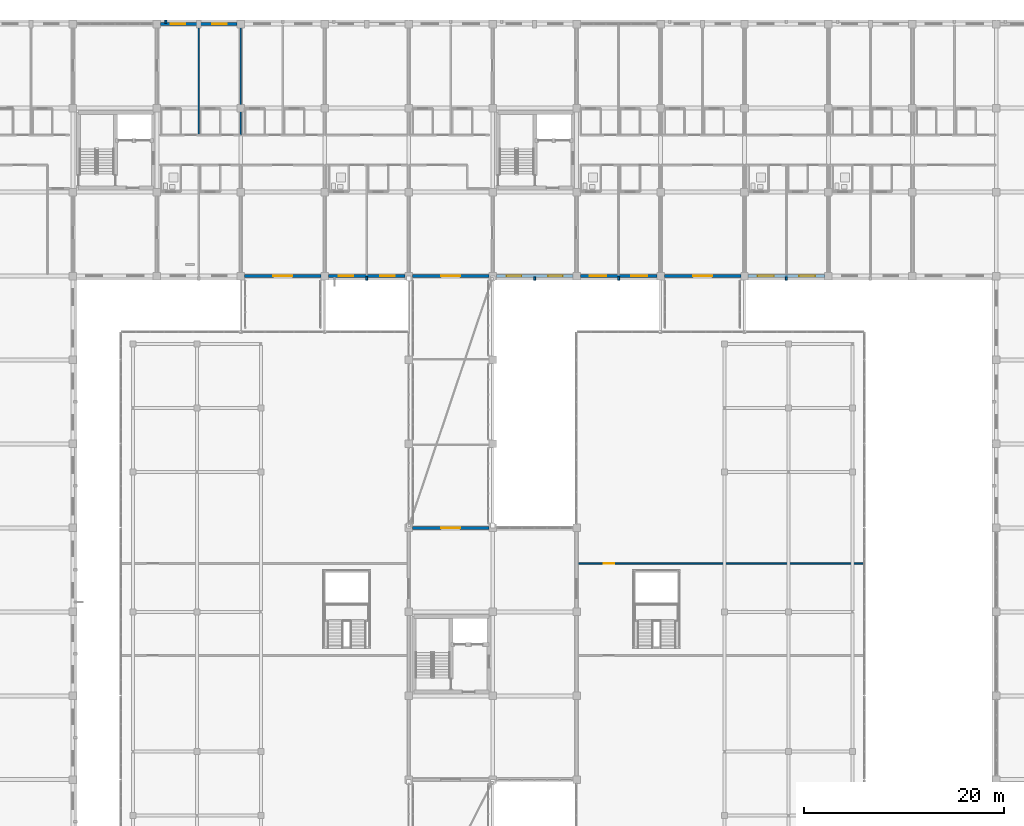
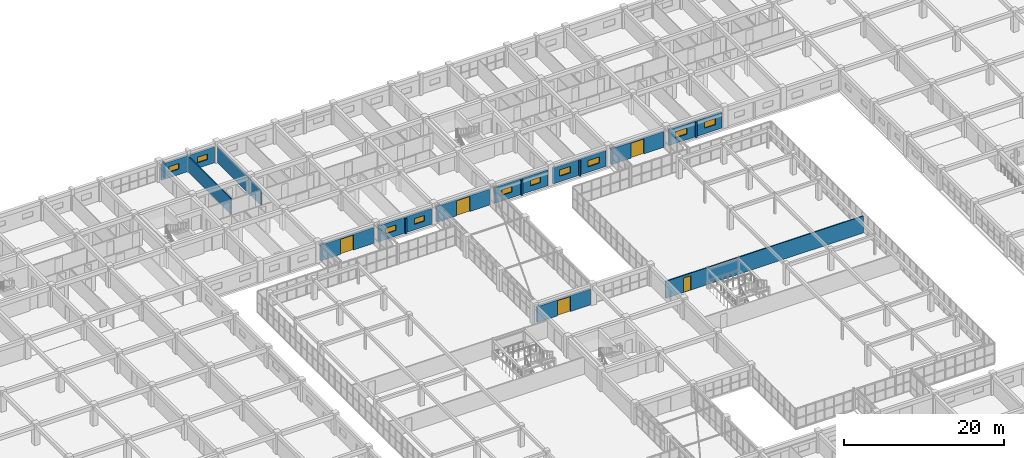
# One storey, part 176 of 200: 17 walls, 10 windows, 5 doors, 15 openings.
"""IFC4 building model written with IfcOpenShell, lengths in metres."""

from ifc_helpers import new_model, si_unit, direction, frame, frame_2d, origin, place, context, subcontext, project, spatial, rectangle, extrude, material, layer, layer_set, type_object, element, fill, save


model = new_model("IFC4")

# Units and contexts
model_context = context("Model", 3, precision=1e-05, world=origin(), true_north=direction((0.0, 1.0)))
body_context = subcontext(model_context, "Body", "Model", "MODEL_VIEW")
ifc_project = project(units=[si_unit("LENGTHUNIT", "METRE"), si_unit("AREAUNIT", "SQUARE_METRE"), si_unit("VOLUMEUNIT", "CUBIC_METRE"), si_unit("PLANEANGLEUNIT", "RADIAN"), si_unit("MASSUNIT", "GRAM", prefix="KILO")], contexts=[model_context])

# Site, building, storey
site_placement = place(None, origin())
site = spatial("IfcSite", under=ifc_project, at=site_placement, CompositionType="ELEMENT")
building_placement = place(site_placement, origin())
building = spatial("IfcBuilding", under=site, at=building_placement, Name="Trelvath General Hospital", CompositionType="ELEMENT")
storey_placement = place(building_placement, frame((0.0, 0.0, 4.800048828125)))
storey = spatial("IfcBuildingStorey", under=building, at=storey_placement, Name="L01", CompositionType="ELEMENT", Elevation=4.800048828125)

# Walls
ifc_material_1 = material(Name="Precast concrete C40/50", Category="concrete")
ifc_layer_1 = layer(ifc_material_1, 0.199951171875)
ifc_layer_set_1 = layer_set([ifc_layer_1], Name="Precast concrete C40/50")
wall_type_1 = type_object("IfcWallType", Name="BriseSoleilRib 200", PredefinedType="ELEMENTEDWALL", material=ifc_layer_set_1)
for number, where, z_axis, x_axis, name in (
    (1, (51.30615234375, 117.675048828125, 0.0), (0.0, 0.0, 1.0), (0.0, 1.0, 0.0), "Precast Concrete Brise-Soleil Rib Fin L01-102"),
    (2, (71.39990234375, 92.324951171875, 0.0), (0.0, 0.0, 1.0), (0.0, -1.0, 0.0), "Precast Concrete Brise-Soleil Rib Fin L01-107"),
    (3, (88.199951171875, 92.324951171875, 0.0), (0.0, 0.0, 1.0), (0.0, -1.0, 0.0), "Precast Concrete Brise-Soleil Rib Fin L01-113"),
    (4, (96.60009765625, 92.324951171875, 0.0), (0.0, 0.0, 1.0), (0.0, -1.0, 0.0), "Precast Concrete Brise-Soleil Rib Fin L01-116"),
    (5, (113.39990234375, 92.324951171875, 0.0), (0.0, 0.0, 1.0), (0.0, -1.0, 0.0), "Precast Concrete Brise-Soleil Rib Fin L01-121"),
):
    element("IfcWall", number, at=place(storey_placement, frame(where, z_axis=z_axis, x_axis=x_axis)), inside=storey, type_object=wall_type_1, Name=name, PredefinedType="ELEMENTEDWALL", context=body_context, shape_type="SweptSolid", body=[
        extrude(rectangle(XDim=0.33984375, YDim=0.199951171875, at=frame_2d((0.169921875, 0.0))), origin(), (0.0, 0.0, 1.0), 2.39990234375),
    ])

# Wall, opening, door
ifc_material_2 = material(Name="Gypsum acoustic steel-stud partition", Category="steel")
ifc_layer_2 = layer(ifc_material_2, 0.14990234375)
ifc_layer_set_2 = layer_set([ifc_layer_2], Name="Gypsum acoustic steel-stud partition")
wall_type_2 = type_object("IfcWallType", Name="ClinicalPartition 150", PredefinedType="PARTITIONING", material=ifc_layer_set_2)
wall_1_placement = place(storey_placement, frame((92.5, 63.64990234375, 0.0), z_axis=(0.0, 0.0, 1.0), x_axis=(1.0, 0.0, 0.0)))
wall_1 = element("IfcWall", 6, at=wall_1_placement, inside=storey, type_object=wall_type_2, Name="Cube Clinic CUBE-E Partition L01-675", PredefinedType="PARTITIONING", context=body_context, shape_type="SweptSolid", body=[
    extrude(rectangle(XDim=28.60009765625, YDim=0.14990234375, at=frame_2d((14.300048828125, 0.0))), origin(), (0.0, 0.0, 1.0), 2.58984375),
])
opening_1_placement = place(wall_1_placement, frame((2.60009765625, 0.0, 0.0)))
opening_1 = element("IfcOpeningElement", 7, at=opening_1_placement, cuts=wall_1, Name="Opening DC-1-0625", PredefinedType="OPENING", context=body_context, shape_type="SweptSolid", body=[
    extrude(rectangle(XDim=1.050048828125, YDim=2.199951171875, at=frame_2d((0.52490234375, 1.10009765625))), frame((0.0, 0.0849609375, 0.0), z_axis=(0.0, -1.0, 0.0), x_axis=(1.0, 0.0, 0.0)), (0.0, 0.0, 1.0), 0.169921875),
])
ifc_material_3 = material(Name="Acoustic hospital timber leaf", Category="wood")
door_type_1 = type_object("IfcDoorType", Name="Door Consult 1050x2200", OperationType="NOTDEFINED", PredefinedType="DOOR", material=ifc_material_3)
door_1_placement = place(opening_1_placement, origin())
door_1 = element("IfcDoor", 8, at=door_1_placement, inside=storey, type_object=door_type_1, Name="Cube Clinic CUBE-E Door L01-625", OperationType="SINGLE_SWING_LEFT", OverallHeight=2.199951171875, OverallWidth=1.050048828125, PredefinedType="DOOR", context=body_context, shape_type="SweptSolid", body=[
    extrude(rectangle(XDim=1.050048828125, YDim=2.199951171875, at=frame_2d((0.52490234375, 1.10009765625))), frame((0.0, 0.02490234375, 0.0), z_axis=(0.0, -1.0, 0.0), x_axis=(1.0, 0.0, 0.0)), (0.0, 0.0, 1.0), 0.050048828125),
])
fill(opening_1, door_1)

# Wall, openings, windows
ifc_material_4 = material(Name="Concrete C35/45", Category="concrete")
ifc_layer_3 = layer(ifc_material_4, 0.2900390625)
ifc_layer_set_3 = layer_set([ifc_layer_3], Name="Concrete C35/45")
wall_type_3 = type_object("IfcWallType", Name="ExtBushHammeredWall 290", PredefinedType="SOLIDWALL", material=ifc_layer_set_3)
wall_2_placement = place(storey_placement, frame((50.77001953125, 117.60009765625, 0.0), z_axis=(0.0, 0.0, 1.0), x_axis=(1.0, 0.0, 0.0)))
wall_2 = element("IfcWall", 9, at=wall_2_placement, inside=storey, type_object=wall_type_3, Name="Exterior Concrete Wall L01-145", PredefinedType="SOLIDWALL", context=body_context, shape_type="SweptSolid", body=[
    extrude(rectangle(XDim=7.659912109375, YDim=0.2900390625, at=frame_2d((3.830078125, 0.0))), origin(), (0.0, 0.0, 1.0), 2.419921875),
])
opening_2_placement = place(wall_2_placement, frame((1.03173828125, 0.0, 0.85009765625)))
opening_2 = element("IfcOpeningElement", 10, at=opening_2_placement, cuts=wall_2, Name="Opening WN-1-219", PredefinedType="OPENING", context=body_context, shape_type="SweptSolid", body=[
    extrude(rectangle(XDim=1.4599609375, YDim=0.85009765625, at=frame_2d((0.72998046875, 0.425048828125))), frame((0.0, 0.155029296875, 0.0), z_axis=(0.0, -1.0, 0.0), x_axis=(1.0, 0.0, 0.0)), (0.0, 0.0, 1.0), 0.31005859375),
])
opening_3_placement = place(wall_2_placement, frame((5.168212890625, 0.0, 0.85009765625)))
opening_3 = element("IfcOpeningElement", 11, at=opening_3_placement, cuts=wall_2, Name="Opening WN-1-220", PredefinedType="OPENING", context=body_context, shape_type="SweptSolid", body=[
    extrude(rectangle(XDim=1.4599609375, YDim=0.85009765625, at=frame_2d((0.72998046875, 0.425048828125))), frame((0.0, 0.155029296875, 0.0), z_axis=(0.0, -1.0, 0.0), x_axis=(1.0, 0.0, 0.0)), (0.0, 0.0, 1.0), 0.31005859375),
])
ifc_material_5 = material(Name="Low-E laminated glass", Category="glass")
window_type_1 = type_object("IfcWindowType", Name="Window ImagingClere 1460x850", PartitioningType="DOUBLE_PANEL_VERTICAL", PredefinedType="WINDOW", material=ifc_material_5)
window_1_placement = place(opening_2_placement, origin())
window_1 = element("IfcWindow", 12, at=window_1_placement, inside=storey, type_object=window_type_1, Name="Solar Reveal Window L01-219", OverallHeight=0.85009765625, OverallWidth=1.4599609375, PartitioningType="SINGLE_PANEL", PredefinedType="WINDOW", context=body_context, shape_type="SweptSolid", body=[
    extrude(rectangle(XDim=1.4599609375, YDim=0.85009765625, at=frame_2d((0.72998046875, 0.425048828125))), frame((0.0, 0.030029296875, 0.0), z_axis=(0.0, -1.0, 0.0), x_axis=(1.0, 0.0, 0.0)), (0.0, 0.0, 1.0), 0.06005859375),
])
fill(opening_2, window_1)
window_2_placement = place(opening_3_placement, origin())
window_2 = element("IfcWindow", 13, at=window_2_placement, inside=storey, type_object=window_type_1, Name="Solar Reveal Window L01-220", OverallHeight=0.85009765625, OverallWidth=1.4599609375, PartitioningType="SINGLE_PANEL", PredefinedType="WINDOW", context=body_context, shape_type="SweptSolid", body=[
    extrude(rectangle(XDim=1.4599609375, YDim=0.85009765625, at=frame_2d((0.72998046875, 0.425048828125))), frame((0.0, 0.030029296875, 0.0), z_axis=(0.0, -1.0, 0.0), x_axis=(1.0, 0.0, 0.0)), (0.0, 0.0, 1.0), 0.06005859375),
])
fill(opening_3, window_2)

# Wall, opening, door
wall_3_placement = place(storey_placement, frame((66.830078125, 92.39990234375, 0.0), z_axis=(0.0, 0.0, 1.0), x_axis=(-1.0, 0.0, 0.0)))
wall_3 = element("IfcWall", 14, at=wall_3_placement, inside=storey, type_object=wall_type_3, Name="Bridge Portal Wall BRG-N-W L01", PredefinedType="SOLIDWALL", context=body_context, shape_type="SweptSolid", body=[
    extrude(rectangle(XDim=7.66015625, YDim=0.2900390625, at=frame_2d((3.830078125, 0.0))), origin(), (0.0, 0.0, 1.0), 2.419921875),
])
opening_4_placement = place(wall_3_placement, frame((2.8798828125, 0.0, 0.0)))
opening_4 = element("IfcOpeningElement", 15, at=opening_4_placement, cuts=wall_3, Name="Opening BP-1-033", PredefinedType="OPENING", context=body_context, shape_type="SweptSolid", body=[
    extrude(rectangle(XDim=1.89990234375, YDim=2.300048828125, at=frame_2d((0.949951171875, 1.14990234375))), frame((0.0, 0.155029296875, 0.0), z_axis=(0.0, -1.0, 0.0), x_axis=(1.0, 0.0, 0.0)), (0.0, 0.0, 1.0), 0.31005859375),
])
ifc_material_6 = material(Name="Thermally broken glazed aluminium pair", Category="aluminium")
door_type_2 = type_object("IfcDoorType", Name="Door BridgeEntry 1900x2400", OperationType="DOUBLE_SWING_LEFT", PredefinedType="DOOR", material=ifc_material_6)
door_2_placement = place(opening_4_placement, origin())
door_2 = element("IfcDoor", 16, at=door_2_placement, inside=storey, type_object=door_type_2, Name="Glazed Bridge Portal Door BRG-N-W L01", OperationType="DOUBLE_SWING_LEFT", OverallHeight=2.300048828125, OverallWidth=1.89990234375, PredefinedType="DOOR", context=body_context, shape_type="SweptSolid", body=[
    extrude(rectangle(XDim=1.89990234375, YDim=2.300048828125, at=frame_2d((0.949951171875, 1.14990234375))), frame((0.0, 0.02490234375, 0.0), z_axis=(0.0, -1.0, 0.0), x_axis=(1.0, 0.0, 0.0)), (0.0, 0.0, 1.0), 0.050048828125),
])
fill(opening_4, door_2)

# Wall, openings, windows
wall_4_placement = place(storey_placement, frame((75.22998046875, 92.39990234375, 0.0), z_axis=(0.0, 0.0, 1.0), x_axis=(-1.0, 0.0, 0.0)))
wall_4 = element("IfcWall", 17, at=wall_4_placement, inside=storey, type_object=wall_type_3, Name="Exterior Concrete Wall L01-152", PredefinedType="SOLIDWALL", context=body_context, shape_type="SweptSolid", body=[
    extrude(rectangle(XDim=7.659912109375, YDim=0.2900390625, at=frame_2d((3.830078125, 0.0))), origin(), (0.0, 0.0, 1.0), 2.419921875),
])
opening_5_placement = place(wall_4_placement, frame((1.03173828125, 0.0, 0.85009765625)))
opening_5 = element("IfcOpeningElement", 18, at=opening_5_placement, cuts=wall_4, Name="Opening WN-1-229", PredefinedType="OPENING", context=body_context, shape_type="SweptSolid", body=[
    extrude(rectangle(XDim=1.4599609375, YDim=0.85009765625, at=frame_2d((0.72998046875, 0.425048828125))), frame((0.0, 0.155029296875, 0.0), z_axis=(0.0, -1.0, 0.0), x_axis=(1.0, 0.0, 0.0)), (0.0, 0.0, 1.0), 0.31005859375),
])
opening_6_placement = place(wall_4_placement, frame((5.168212890625, 0.0, 0.85009765625)))
opening_6 = element("IfcOpeningElement", 19, at=opening_6_placement, cuts=wall_4, Name="Opening WN-1-230", PredefinedType="OPENING", context=body_context, shape_type="SweptSolid", body=[
    extrude(rectangle(XDim=1.4599609375, YDim=0.85009765625, at=frame_2d((0.72998046875, 0.425048828125))), frame((0.0, 0.155029296875, 0.0), z_axis=(0.0, -1.0, 0.0), x_axis=(1.0, 0.0, 0.0)), (0.0, 0.0, 1.0), 0.31005859375),
])
window_3_placement = place(opening_5_placement, origin())
window_3 = element("IfcWindow", 20, at=window_3_placement, inside=storey, type_object=window_type_1, Name="Solar Reveal Window L01-229", OverallHeight=0.85009765625, OverallWidth=1.4599609375, PartitioningType="SINGLE_PANEL", PredefinedType="WINDOW", context=body_context, shape_type="SweptSolid", body=[
    extrude(rectangle(XDim=1.4599609375, YDim=0.85009765625, at=frame_2d((0.72998046875, 0.425048828125))), frame((0.0, 0.030029296875, 0.0), z_axis=(0.0, -1.0, 0.0), x_axis=(1.0, 0.0, 0.0)), (0.0, 0.0, 1.0), 0.06005859375),
])
fill(opening_5, window_3)
window_4_placement = place(opening_6_placement, origin())
window_4 = element("IfcWindow", 21, at=window_4_placement, inside=storey, type_object=window_type_1, Name="Solar Reveal Window L01-230", OverallHeight=0.85009765625, OverallWidth=1.4599609375, PartitioningType="SINGLE_PANEL", PredefinedType="WINDOW", context=body_context, shape_type="SweptSolid", body=[
    extrude(rectangle(XDim=1.4599609375, YDim=0.85009765625, at=frame_2d((0.72998046875, 0.425048828125))), frame((0.0, 0.030029296875, 0.0), z_axis=(0.0, -1.0, 0.0), x_axis=(1.0, 0.0, 0.0)), (0.0, 0.0, 1.0), 0.06005859375),
])
fill(opening_6, window_4)

# Wall, opening, door
wall_5_placement = place(storey_placement, frame((75.969970703125, 67.199951171875, 0.0), z_axis=(0.0, 0.0, 1.0), x_axis=(1.0, 0.0, 0.0)))
wall_5 = element("IfcWall", 22, at=wall_5_placement, inside=storey, type_object=wall_type_3, Name="Bridge Portal Wall BRG-N-C L01", PredefinedType="SOLIDWALL", context=body_context, shape_type="SweptSolid", body=[
    extrude(rectangle(XDim=7.659912109375, YDim=0.2900390625, at=frame_2d((3.830078125, 0.0))), origin(), (0.0, 0.0, 1.0), 2.419921875),
])
opening_7_placement = place(wall_5_placement, frame((2.8798828125, 0.0, 0.0)))
opening_7 = element("IfcOpeningElement", 23, at=opening_7_placement, cuts=wall_5, Name="Opening BP-1-036", PredefinedType="OPENING", context=body_context, shape_type="SweptSolid", body=[
    extrude(rectangle(XDim=1.89990234375, YDim=2.300048828125, at=frame_2d((0.949951171875, 1.14990234375))), frame((0.0, 0.155029296875, 0.0), z_axis=(0.0, -1.0, 0.0), x_axis=(1.0, 0.0, 0.0)), (0.0, 0.0, 1.0), 0.31005859375),
])
door_3_placement = place(opening_7_placement, origin())
door_3 = element("IfcDoor", 24, at=door_3_placement, inside=storey, type_object=door_type_2, Name="Glazed Bridge Portal Door BRG-N-C L01", OperationType="DOUBLE_SWING_LEFT", OverallHeight=2.300048828125, OverallWidth=1.89990234375, PredefinedType="DOOR", context=body_context, shape_type="SweptSolid", body=[
    extrude(rectangle(XDim=1.89990234375, YDim=2.300048828125, at=frame_2d((0.949951171875, 1.14990234375))), frame((0.0, 0.02490234375, 0.0), z_axis=(0.0, -1.0, 0.0), x_axis=(1.0, 0.0, 0.0)), (0.0, 0.0, 1.0), 0.050048828125),
])
fill(opening_7, door_3)

wall_6_placement = place(storey_placement, frame((83.6298828125, 92.39990234375, 0.0), z_axis=(0.0, 0.0, 1.0), x_axis=(-1.0, 0.0, 0.0)))
wall_6 = element("IfcWall", 25, at=wall_6_placement, inside=storey, type_object=wall_type_3, Name="Bridge Portal Wall BRG-N-C L01", PredefinedType="SOLIDWALL", context=body_context, shape_type="SweptSolid", body=[
    extrude(rectangle(XDim=7.659912109375, YDim=0.2900390625, at=frame_2d((3.830078125, 0.0))), origin(), (0.0, 0.0, 1.0), 2.419921875),
])
opening_8_placement = place(wall_6_placement, frame((2.8798828125, 0.0, 0.0)))
opening_8 = element("IfcOpeningElement", 26, at=opening_8_placement, cuts=wall_6, Name="Opening BP-1-038", PredefinedType="OPENING", context=body_context, shape_type="SweptSolid", body=[
    extrude(rectangle(XDim=1.89990234375, YDim=2.300048828125, at=frame_2d((0.949951171875, 1.14990234375))), frame((0.0, 0.155029296875, 0.0), z_axis=(0.0, -1.0, 0.0), x_axis=(1.0, 0.0, 0.0)), (0.0, 0.0, 1.0), 0.31005859375),
])
door_4_placement = place(opening_8_placement, origin())
door_4 = element("IfcDoor", 27, at=door_4_placement, inside=storey, type_object=door_type_2, Name="Glazed Bridge Portal Door BRG-N-C L01", OperationType="DOUBLE_SWING_LEFT", OverallHeight=2.300048828125, OverallWidth=1.89990234375, PredefinedType="DOOR", context=body_context, shape_type="SweptSolid", body=[
    extrude(rectangle(XDim=1.89990234375, YDim=2.300048828125, at=frame_2d((0.949951171875, 1.14990234375))), frame((0.0, 0.02490234375, 0.0), z_axis=(0.0, -1.0, 0.0), x_axis=(1.0, 0.0, 0.0)), (0.0, 0.0, 1.0), 0.050048828125),
])
fill(opening_8, door_4)

# Wall, openings, windows
wall_7_placement = place(storey_placement, frame((92.030029296875, 92.39990234375, 0.0), z_axis=(0.0, 0.0, 1.0), x_axis=(-1.0, 0.0, 0.0)))
wall_7 = element("IfcWall", 28, at=wall_7_placement, inside=storey, type_object=wall_type_3, Name="Exterior Concrete Wall L01-168", PredefinedType="SOLIDWALL", context=body_context, shape_type="SweptSolid", body=[
    extrude(rectangle(XDim=7.659912109375, YDim=0.2900390625, at=frame_2d((3.830078125, 0.0))), origin(), (0.0, 0.0, 1.0), 2.419921875),
])
opening_9_placement = place(wall_7_placement, frame((1.03173828125, 0.0, 0.85009765625)))
opening_9 = element("IfcOpeningElement", 29, at=opening_9_placement, cuts=wall_7, Name="Opening WN-1-241", PredefinedType="OPENING", context=body_context, shape_type="SweptSolid", body=[
    extrude(rectangle(XDim=1.4599609375, YDim=0.85009765625, at=frame_2d((0.72998046875, 0.425048828125))), frame((0.0, 0.155029296875, 0.0), z_axis=(0.0, -1.0, 0.0), x_axis=(1.0, 0.0, 0.0)), (0.0, 0.0, 1.0), 0.31005859375),
])
opening_10_placement = place(wall_7_placement, frame((5.168212890625, 0.0, 0.85009765625)))
opening_10 = element("IfcOpeningElement", 30, at=opening_10_placement, cuts=wall_7, Name="Opening WN-1-242", PredefinedType="OPENING", context=body_context, shape_type="SweptSolid", body=[
    extrude(rectangle(XDim=1.4599609375, YDim=0.85009765625, at=frame_2d((0.72998046875, 0.425048828125))), frame((0.0, 0.155029296875, 0.0), z_axis=(0.0, -1.0, 0.0), x_axis=(1.0, 0.0, 0.0)), (0.0, 0.0, 1.0), 0.31005859375),
])
window_5_placement = place(opening_9_placement, origin())
window_5 = element("IfcWindow", 31, at=window_5_placement, inside=storey, type_object=window_type_1, Name="Solar Reveal Window L01-241", OverallHeight=0.85009765625, OverallWidth=1.4599609375, PartitioningType="SINGLE_PANEL", PredefinedType="WINDOW", context=body_context, shape_type="SweptSolid", body=[
    extrude(rectangle(XDim=1.4599609375, YDim=0.85009765625, at=frame_2d((0.72998046875, 0.425048828125))), frame((0.0, 0.030029296875, 0.0), z_axis=(0.0, -1.0, 0.0), x_axis=(1.0, 0.0, 0.0)), (0.0, 0.0, 1.0), 0.06005859375),
])
fill(opening_9, window_5)
window_6_placement = place(opening_10_placement, origin())
window_6 = element("IfcWindow", 32, at=window_6_placement, inside=storey, type_object=window_type_1, Name="Solar Reveal Window L01-242", OverallHeight=0.85009765625, OverallWidth=1.4599609375, PartitioningType="SINGLE_PANEL", PredefinedType="WINDOW", context=body_context, shape_type="SweptSolid", body=[
    extrude(rectangle(XDim=1.4599609375, YDim=0.85009765625, at=frame_2d((0.72998046875, 0.425048828125))), frame((0.0, 0.030029296875, 0.0), z_axis=(0.0, -1.0, 0.0), x_axis=(1.0, 0.0, 0.0)), (0.0, 0.0, 1.0), 0.06005859375),
])
fill(opening_10, window_6)

wall_8_placement = place(storey_placement, frame((100.429931640625, 92.39990234375, 0.0), z_axis=(0.0, 0.0, 1.0), x_axis=(-1.0, 0.0, 0.0)))
wall_8 = element("IfcWall", 33, at=wall_8_placement, inside=storey, type_object=wall_type_3, Name="Exterior Concrete Wall L01-171", PredefinedType="SOLIDWALL", context=body_context, shape_type="SweptSolid", body=[
    extrude(rectangle(XDim=7.659912109375, YDim=0.2900390625, at=frame_2d((3.830078125, 0.0))), origin(), (0.0, 0.0, 1.0), 2.419921875),
])
opening_11_placement = place(wall_8_placement, frame((0.951904296875, 0.0, 0.85009765625)))
opening_11 = element("IfcOpeningElement", 34, at=opening_11_placement, cuts=wall_8, Name="Opening WN-1-247", PredefinedType="OPENING", context=body_context, shape_type="SweptSolid", body=[
    extrude(rectangle(XDim=1.6201171875, YDim=0.949951171875, at=frame_2d((0.81005859375, 0.47509765625))), frame((0.0, 0.155029296875, 0.0), z_axis=(0.0, -1.0, 0.0), x_axis=(1.0, 0.0, 0.0)), (0.0, 0.0, 1.0), 0.31005859375),
])
opening_12_placement = place(wall_8_placement, frame((5.088134765625, 0.0, 0.85009765625)))
opening_12 = element("IfcOpeningElement", 35, at=opening_12_placement, cuts=wall_8, Name="Opening WN-1-248", PredefinedType="OPENING", context=body_context, shape_type="SweptSolid", body=[
    extrude(rectangle(XDim=1.6201171875, YDim=0.949951171875, at=frame_2d((0.81005859375, 0.47509765625))), frame((0.0, 0.155029296875, 0.0), z_axis=(0.0, -1.0, 0.0), x_axis=(1.0, 0.0, 0.0)), (0.0, 0.0, 1.0), 0.31005859375),
])
ifc_material_7 = material(Name="Low-E laminated glass", Category="glass")
window_type_2 = type_object("IfcWindowType", Name="Window EmergencyClere 1620x950", PartitioningType="DOUBLE_PANEL_VERTICAL", PredefinedType="WINDOW", material=ifc_material_7)
window_7_placement = place(opening_11_placement, origin())
window_7 = element("IfcWindow", 36, at=window_7_placement, inside=storey, type_object=window_type_2, Name="Solar Reveal Window L01-247", OverallHeight=0.949951171875, OverallWidth=1.6201171875, PartitioningType="SINGLE_PANEL", PredefinedType="WINDOW", context=body_context, shape_type="SweptSolid", body=[
    extrude(rectangle(XDim=1.6201171875, YDim=0.949951171875, at=frame_2d((0.81005859375, 0.47509765625))), frame((0.0, 0.030029296875, 0.0), z_axis=(0.0, -1.0, 0.0), x_axis=(1.0, 0.0, 0.0)), (0.0, 0.0, 1.0), 0.06005859375),
])
fill(opening_11, window_7)
window_8_placement = place(opening_12_placement, origin())
window_8 = element("IfcWindow", 37, at=window_8_placement, inside=storey, type_object=window_type_2, Name="Solar Reveal Window L01-248", OverallHeight=0.949951171875, OverallWidth=1.6201171875, PartitioningType="SINGLE_PANEL", PredefinedType="WINDOW", context=body_context, shape_type="SweptSolid", body=[
    extrude(rectangle(XDim=1.6201171875, YDim=0.949951171875, at=frame_2d((0.81005859375, 0.47509765625))), frame((0.0, 0.030029296875, 0.0), z_axis=(0.0, -1.0, 0.0), x_axis=(1.0, 0.0, 0.0)), (0.0, 0.0, 1.0), 0.06005859375),
])
fill(opening_12, window_8)

# Wall, opening, door
wall_9_placement = place(storey_placement, frame((108.830078125, 92.39990234375, 0.0), z_axis=(0.0, 0.0, 1.0), x_axis=(-1.0, 0.0, 0.0)))
wall_9 = element("IfcWall", 38, at=wall_9_placement, inside=storey, type_object=wall_type_3, Name="Bridge Portal Wall BRG-N-E L01", PredefinedType="SOLIDWALL", context=body_context, shape_type="SweptSolid", body=[
    extrude(rectangle(XDim=7.66015625, YDim=0.2900390625, at=frame_2d((3.830078125, 0.0))), origin(), (0.0, 0.0, 1.0), 2.419921875),
])
opening_13_placement = place(wall_9_placement, frame((2.8798828125, 0.0, 0.0)))
opening_13 = element("IfcOpeningElement", 39, at=opening_13_placement, cuts=wall_9, Name="Opening BP-1-041", PredefinedType="OPENING", context=body_context, shape_type="SweptSolid", body=[
    extrude(rectangle(XDim=1.89990234375, YDim=2.300048828125, at=frame_2d((0.949951171875, 1.14990234375))), frame((0.0, 0.155029296875, 0.0), z_axis=(0.0, -1.0, 0.0), x_axis=(1.0, 0.0, 0.0)), (0.0, 0.0, 1.0), 0.31005859375),
])
door_5_placement = place(opening_13_placement, origin())
door_5 = element("IfcDoor", 40, at=door_5_placement, inside=storey, type_object=door_type_2, Name="Glazed Bridge Portal Door BRG-N-E L01", OperationType="DOUBLE_SWING_LEFT", OverallHeight=2.300048828125, OverallWidth=1.89990234375, PredefinedType="DOOR", context=body_context, shape_type="SweptSolid", body=[
    extrude(rectangle(XDim=1.89990234375, YDim=2.300048828125, at=frame_2d((0.949951171875, 1.14990234375))), frame((0.0, 0.02490234375, 0.0), z_axis=(0.0, -1.0, 0.0), x_axis=(1.0, 0.0, 0.0)), (0.0, 0.0, 1.0), 0.050048828125),
])
fill(opening_13, door_5)

# Wall, openings, windows
wall_10_placement = place(storey_placement, frame((117.22998046875, 92.39990234375, 0.0), z_axis=(0.0, 0.0, 1.0), x_axis=(-1.0, 0.0, 0.0)))
wall_10 = element("IfcWall", 41, at=wall_10_placement, inside=storey, type_object=wall_type_3, Name="Exterior Concrete Wall L01-178", PredefinedType="SOLIDWALL", context=body_context, shape_type="SweptSolid", body=[
    extrude(rectangle(XDim=7.659912109375, YDim=0.2900390625, at=frame_2d((3.830078125, 0.0))), origin(), (0.0, 0.0, 1.0), 2.419921875),
])
opening_14_placement = place(wall_10_placement, frame((0.951904296875, 0.0, 0.85009765625)))
opening_14 = element("IfcOpeningElement", 42, at=opening_14_placement, cuts=wall_10, Name="Opening WN-1-257", PredefinedType="OPENING", context=body_context, shape_type="SweptSolid", body=[
    extrude(rectangle(XDim=1.6201171875, YDim=0.949951171875, at=frame_2d((0.81005859375, 0.47509765625))), frame((0.0, 0.155029296875, 0.0), z_axis=(0.0, -1.0, 0.0), x_axis=(1.0, 0.0, 0.0)), (0.0, 0.0, 1.0), 0.31005859375),
])
opening_15_placement = place(wall_10_placement, frame((5.088134765625, 0.0, 0.85009765625)))
opening_15 = element("IfcOpeningElement", 43, at=opening_15_placement, cuts=wall_10, Name="Opening WN-1-258", PredefinedType="OPENING", context=body_context, shape_type="SweptSolid", body=[
    extrude(rectangle(XDim=1.6201171875, YDim=0.949951171875, at=frame_2d((0.81005859375, 0.47509765625))), frame((0.0, 0.155029296875, 0.0), z_axis=(0.0, -1.0, 0.0), x_axis=(1.0, 0.0, 0.0)), (0.0, 0.0, 1.0), 0.31005859375),
])
window_9_placement = place(opening_14_placement, origin())
window_9 = element("IfcWindow", 44, at=window_9_placement, inside=storey, type_object=window_type_2, Name="Solar Reveal Window L01-257", OverallHeight=0.949951171875, OverallWidth=1.6201171875, PartitioningType="SINGLE_PANEL", PredefinedType="WINDOW", context=body_context, shape_type="SweptSolid", body=[
    extrude(rectangle(XDim=1.6201171875, YDim=0.949951171875, at=frame_2d((0.81005859375, 0.47509765625))), frame((0.0, 0.030029296875, 0.0), z_axis=(0.0, -1.0, 0.0), x_axis=(1.0, 0.0, 0.0)), (0.0, 0.0, 1.0), 0.06005859375),
])
fill(opening_14, window_9)
window_10_placement = place(opening_15_placement, origin())
window_10 = element("IfcWindow", 45, at=window_10_placement, inside=storey, type_object=window_type_2, Name="Solar Reveal Window L01-258", OverallHeight=0.949951171875, OverallWidth=1.6201171875, PartitioningType="SINGLE_PANEL", PredefinedType="WINDOW", context=body_context, shape_type="SweptSolid", body=[
    extrude(rectangle(XDim=1.6201171875, YDim=0.949951171875, at=frame_2d((0.81005859375, 0.47509765625))), frame((0.0, 0.030029296875, 0.0), z_axis=(0.0, -1.0, 0.0), x_axis=(1.0, 0.0, 0.0)), (0.0, 0.0, 1.0), 0.06005859375),
])
fill(opening_15, window_10)

# Walls
ifc_material_8 = material(Name="Gypsum acoustic steel-stud partition", Category="steel")
ifc_layer_4 = layer(ifc_material_8, 0.1298828125)
ifc_layer_set_4 = layer_set([ifc_layer_4], Name="Gypsum acoustic steel-stud partition")
wall_type_4 = type_object("IfcWallType", Name="WardPartition 130", PredefinedType="PARTITIONING", material=ifc_layer_set_4)
wall_11_placement = place(storey_placement, frame((54.60009765625, 106.570068359375, 0.0), z_axis=(0.0, 0.0, 1.0), x_axis=(0.0, 1.0, 0.0)))
element("IfcWall", 46, at=wall_11_placement, inside=storey, type_object=wall_type_4, Name="Room Dividing Partition N L01-549", PredefinedType="PARTITIONING", context=body_context, shape_type="SweptSolid", body=[
    extrude(rectangle(XDim=10.929931640625, YDim=0.1298828125, at=frame_2d((5.46484375, 0.0))), origin(), (0.0, 0.0, 1.0), 2.39990234375),
])
wall_12_placement = place(storey_placement, frame((58.800048828125, 106.52001953125, 0.0), z_axis=(0.0, 0.0, 1.0), x_axis=(0.0, 1.0, 0.0)))
element("IfcWall", 47, at=wall_12_placement, inside=storey, type_object=wall_type_4, Name="Inter-Bay Ward Partition N L01-557", PredefinedType="PARTITIONING", context=body_context, shape_type="SweptSolid", body=[
    extrude(rectangle(XDim=10.93994140625, YDim=0.1298828125, at=frame_2d((5.469970703125, 0.0))), origin(), (0.0, 0.0, 1.0), 2.39990234375),
])

save(model, "model.ifc")
